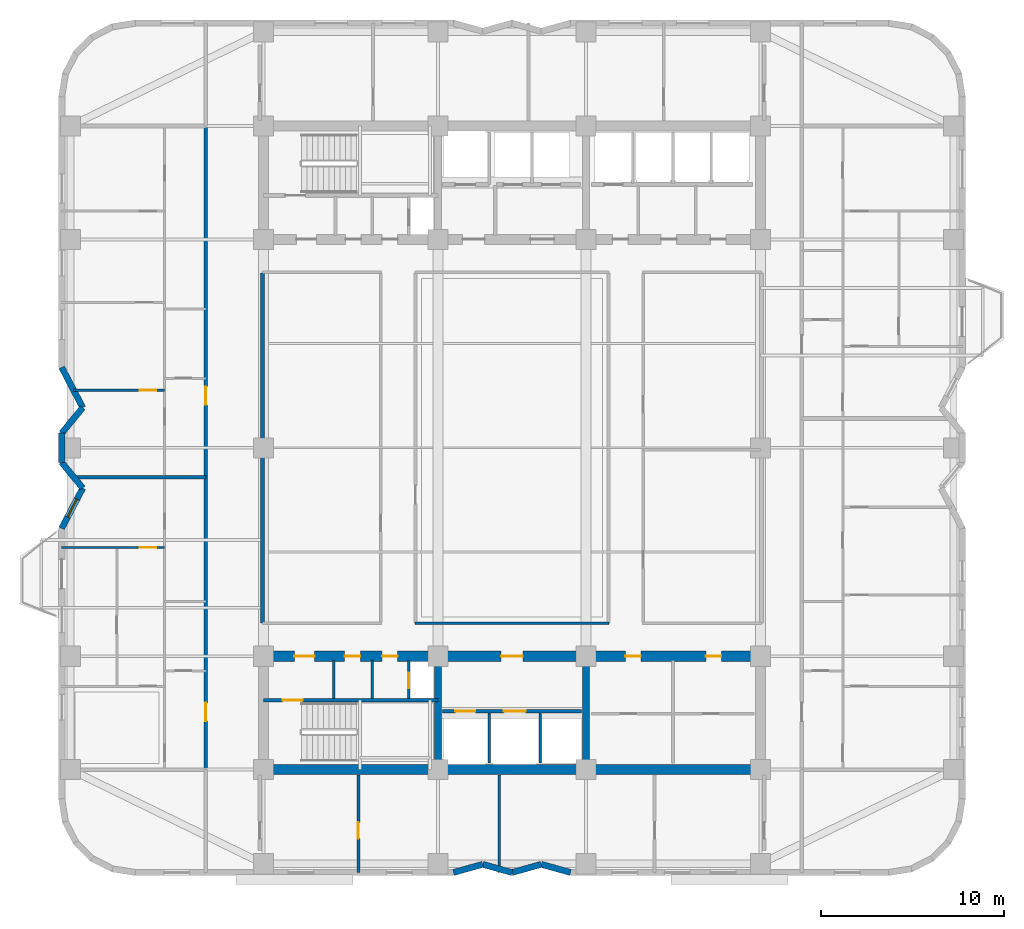
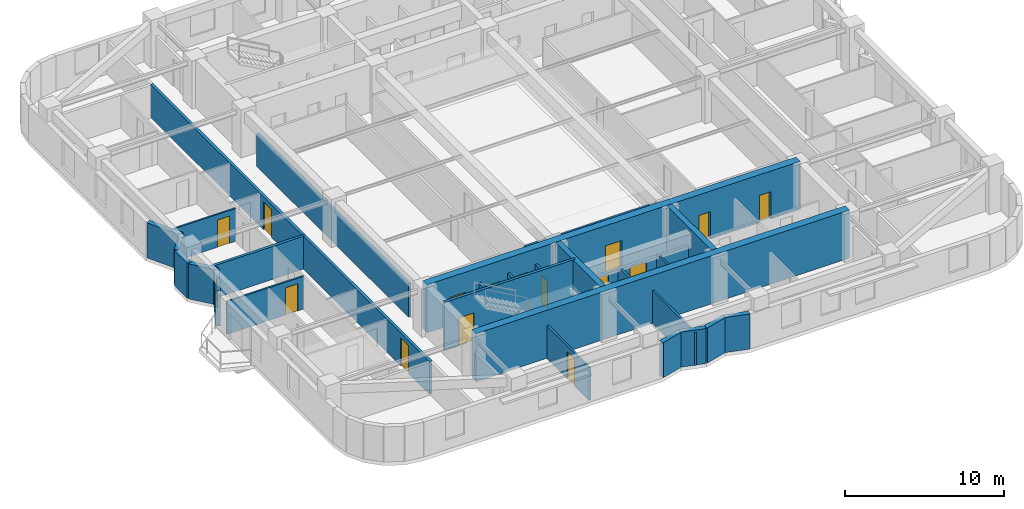
# One storey, part 3 of 10: 28 walls, 15 doors, 1 window, 16 openings.
"""IFC4 building model written with IfcOpenShell, lengths in metres."""

from ifc_helpers import new_model, si_unit, direction, frame, frame_2d, origin, place, context, subcontext, project, spatial, rectangle, extrude, material, layer, layer_set, type_object, element, fill, save


model = new_model("IFC4")

# Units and contexts
model_context = context("Model", 3, precision=1e-05, world=origin(), true_north=direction((0.0, 1.0)))
body_context = subcontext(model_context, "Body", "Model", "MODEL_VIEW")
ifc_project = project(units=[si_unit("LENGTHUNIT", "METRE"), si_unit("AREAUNIT", "SQUARE_METRE"), si_unit("VOLUMEUNIT", "CUBIC_METRE"), si_unit("PLANEANGLEUNIT", "RADIAN"), si_unit("MASSUNIT", "GRAM", prefix="KILO")], contexts=[model_context])

# Site, building, storey
site_placement = place(None, origin())
site = spatial("IfcSite", under=ifc_project, at=site_placement, CompositionType="ELEMENT")
building_placement = place(site_placement, origin())
building = spatial("IfcBuilding", under=site, at=building_placement, Name="Svetorya Sky Lyceum", CompositionType="ELEMENT")
storey_placement = place(building_placement, frame((0.0, 0.0, 129.0)))
storey = spatial("IfcBuildingStorey", under=building, at=storey_placement, Name="L32", CompositionType="ELEMENT", Elevation=129.0)

# Walls
ifc_material_1 = material(Name="Concrete C40/50", Category="concrete")
ifc_layer_1 = layer(ifc_material_1, 0.39990234375)
ifc_layer_set_1 = layer_set([ifc_layer_1], Name="Concrete C40/50")
wall_type_1 = type_object("IfcWallType", Name="WL-CORE-400", PredefinedType="SHEAR", material=ifc_layer_set_1)
for number, where, z_axis, x_axis, name in (
    (1, (35.14990234375, 10.875, 0.0), (0.0, 0.0, 1.0), (0.0, 1.0, 0.0), "L32 SC Internal Shear Web WEB1"),
    (2, (43.25, 10.875, 0.0), (0.0, 0.0, 1.0), (0.0, 1.0, 0.0), "L32 SC Internal Shear Web WEB2"),
):
    element("IfcWall", number, at=place(storey_placement, frame(where, z_axis=z_axis, x_axis=x_axis)), inside=storey, type_object=wall_type_1, Name=name, PredefinedType="SHEAR", context=body_context, shape_type="SweptSolid", body=[
        extrude(rectangle(XDim=5.64990234375, YDim=0.39990234375, at=frame_2d((2.824951171875, 0.0))), origin(), (0.0, 0.0, 1.0), 3.699951171875),
    ])
ifc_material_2 = material(Name="Concrete C60/75", Category="concrete")
ifc_layer_2 = layer(ifc_material_2, 0.550048828125)
ifc_layer_set_2 = layer_set([ifc_layer_2], Name="Concrete C60/75")
wall_type_2 = type_object("IfcWallType", Name="WL-CORE-550", PredefinedType="SHEAR", material=ifc_layer_set_2)
wall_1_placement = place(storey_placement, frame((52.800048828125, 10.60009765625, 0.0), z_axis=(0.0, 0.0, 1.0), x_axis=(-1.0, 0.0, 0.0)))
element("IfcWall", 3, at=wall_1_placement, inside=storey, type_object=wall_type_2, Name="L32 SC Outer Core Shear Wall", PredefinedType="SHEAR", context=body_context, shape_type="SweptSolid", body=[
    extrude(rectangle(XDim=27.199951171875, YDim=0.550048828125, at=frame_2d((13.60009765625, 0.0))), origin(), (0.0, 0.0, 1.0), 3.699951171875),
])

# Wall, openings, doors
wall_2_placement = place(storey_placement, frame((25.60009765625, 16.800048828125, 0.0), z_axis=(0.0, 0.0, 1.0), x_axis=(1.0, 0.0, 0.0)))
wall_2 = element("IfcWall", 4, at=wall_2_placement, inside=storey, type_object=wall_type_2, Name="L32 SC Inner Core Shear Wall", PredefinedType="SHEAR", context=body_context, shape_type="SweptSolid", body=[
    extrude(rectangle(XDim=27.199951171875, YDim=0.550048828125, at=frame_2d((13.60009765625, 0.0))), origin(), (0.0, 0.0, 1.0), 3.699951171875),
])
opening_1_placement = place(wall_2_placement, frame((1.699951171875, 0.0, 0.0)))
opening_1 = element("IfcOpeningElement", 5, at=opening_1_placement, cuts=wall_2, Name="Opening D-ST1", PredefinedType="OPENING", context=body_context, shape_type="SweptSolid", body=[
    extrude(rectangle(XDim=1.10009765625, YDim=2.14990234375, at=frame_2d((0.550048828125, 1.074951171875))), frame((0.0, 0.284912109375, 0.0), z_axis=(0.0, -1.0, 0.0), x_axis=(1.0, 0.0, 0.0)), (0.0, 0.0, 1.0), 0.570068359375),
])
opening_2_placement = place(wall_2_placement, frame((4.449951171875, 0.0, 0.0)))
opening_2 = element("IfcOpeningElement", 6, at=opening_2_placement, cuts=wall_2, Name="Opening D-CWC1", PredefinedType="OPENING", context=body_context, shape_type="SweptSolid", body=[
    extrude(rectangle(XDim=0.85009765625, YDim=2.10009765625, at=frame_2d((0.425048828125, 1.050048828125))), frame((0.0, 0.284912109375, 0.0), z_axis=(0.0, -1.0, 0.0), x_axis=(1.0, 0.0, 0.0)), (0.0, 0.0, 1.0), 0.570068359375),
])
opening_3_placement = place(wall_2_placement, frame((6.5, 0.0, 0.0)))
opening_3 = element("IfcOpeningElement", 7, at=opening_3_placement, cuts=wall_2, Name="Opening D-CWC1", PredefinedType="OPENING", context=body_context, shape_type="SweptSolid", body=[
    extrude(rectangle(XDim=0.85009765625, YDim=2.10009765625, at=frame_2d((0.425048828125, 1.050048828125))), frame((0.0, 0.284912109375, 0.0), z_axis=(0.0, -1.0, 0.0), x_axis=(1.0, 0.0, 0.0)), (0.0, 0.0, 1.0), 0.570068359375),
])
opening_4_placement = place(wall_2_placement, frame((13.0, 0.0, 0.0)))
opening_4 = element("IfcOpeningElement", 8, at=opening_4_placement, cuts=wall_2, Name="Opening D-FL1", PredefinedType="OPENING", context=body_context, shape_type="SweptSolid", body=[
    extrude(rectangle(XDim=1.199951171875, YDim=2.14990234375, at=frame_2d((0.60009765625, 1.074951171875))), frame((0.0, 0.284912109375, 0.0), z_axis=(0.0, -1.0, 0.0), x_axis=(1.0, 0.0, 0.0)), (0.0, 0.0, 1.0), 0.570068359375),
])
opening_5_placement = place(wall_2_placement, frame((19.800048828125, 0.0, 0.0)))
opening_5 = element("IfcOpeningElement", 9, at=opening_5_placement, cuts=wall_2, Name="Opening D-CWC1", PredefinedType="OPENING", context=body_context, shape_type="SweptSolid", body=[
    extrude(rectangle(XDim=0.85009765625, YDim=2.10009765625, at=frame_2d((0.425048828125, 1.050048828125))), frame((0.0, 0.284912109375, 0.0), z_axis=(0.0, -1.0, 0.0), x_axis=(1.0, 0.0, 0.0)), (0.0, 0.0, 1.0), 0.570068359375),
])
opening_6_placement = place(wall_2_placement, frame((24.199951171875, 0.0, 0.0)))
opening_6 = element("IfcOpeningElement", 10, at=opening_6_placement, cuts=wall_2, Name="Opening D-CWC1", PredefinedType="OPENING", context=body_context, shape_type="SweptSolid", body=[
    extrude(rectangle(XDim=0.85009765625, YDim=2.10009765625, at=frame_2d((0.425048828125, 1.050048828125))), frame((0.0, 0.284912109375, 0.0), z_axis=(0.0, -1.0, 0.0), x_axis=(1.0, 0.0, 0.0)), (0.0, 0.0, 1.0), 0.570068359375),
])
ifc_material_3 = material(Name="Fire-rated galvanized steel core service closet door", Category="steel")
door_type_1 = type_object("IfcDoorType", Name="DR-CWET-850", OperationType="SINGLE_SWING_LEFT", PredefinedType="DOOR", material=ifc_material_3)
door_1_placement = place(opening_2_placement, origin())
door_1 = element("IfcDoor", 11, at=door_1_placement, inside=storey, type_object=door_type_1, Name="L32 South Mop Closet Door", OperationType="SINGLE_SWING_LEFT", OverallHeight=2.10009765625, OverallWidth=0.85009765625, PredefinedType="DOOR", context=body_context, shape_type="SweptSolid", body=[
    extrude(rectangle(XDim=0.85009765625, YDim=2.10009765625, at=frame_2d((0.425048828125, 1.050048828125))), frame((0.0, 0.02490234375, 0.0), z_axis=(0.0, -1.0, 0.0), x_axis=(1.0, 0.0, 0.0)), (0.0, 0.0, 1.0), 0.050048828125),
])
fill(opening_2, door_1)
door_2_placement = place(opening_3_placement, origin())
door_2 = element("IfcDoor", 12, at=door_2_placement, inside=storey, type_object=door_type_1, Name="L32 South West WC Door", OperationType="SINGLE_SWING_RIGHT", OverallHeight=2.10009765625, OverallWidth=0.85009765625, PredefinedType="DOOR", context=body_context, shape_type="SweptSolid", body=[
    extrude(rectangle(XDim=0.85009765625, YDim=2.10009765625, at=frame_2d((0.425048828125, 1.050048828125))), frame((0.0, 0.02490234375, 0.0), z_axis=(0.0, -1.0, 0.0), x_axis=(1.0, 0.0, 0.0)), (0.0, 0.0, 1.0), 0.050048828125),
])
fill(opening_3, door_2)
door_3_placement = place(opening_5_placement, origin())
door_3 = element("IfcDoor", 13, at=door_3_placement, inside=storey, type_object=door_type_1, Name="L32 Housekeeping Door", OperationType="SINGLE_SWING_LEFT", OverallHeight=2.10009765625, OverallWidth=0.85009765625, PredefinedType="DOOR", context=body_context, shape_type="SweptSolid", body=[
    extrude(rectangle(XDim=0.85009765625, YDim=2.10009765625, at=frame_2d((0.425048828125, 1.050048828125))), frame((0.0, 0.02490234375, 0.0), z_axis=(0.0, -1.0, 0.0), x_axis=(1.0, 0.0, 0.0)), (0.0, 0.0, 1.0), 0.050048828125),
])
fill(opening_5, door_3)
door_4_placement = place(opening_6_placement, origin())
door_4 = element("IfcDoor", 14, at=door_4_placement, inside=storey, type_object=door_type_1, Name="L32 South WC Door", OperationType="SINGLE_SWING_RIGHT", OverallHeight=2.10009765625, OverallWidth=0.85009765625, PredefinedType="DOOR", context=body_context, shape_type="SweptSolid", body=[
    extrude(rectangle(XDim=0.85009765625, YDim=2.10009765625, at=frame_2d((0.425048828125, 1.050048828125))), frame((0.0, 0.02490234375, 0.0), z_axis=(0.0, -1.0, 0.0), x_axis=(1.0, 0.0, 0.0)), (0.0, 0.0, 1.0), 0.050048828125),
])
fill(opening_6, door_4)
ifc_material_4 = material(Name="Powder-coated insulated galvanized stair fire door")
door_type_2 = type_object("IfcDoorType", Name="DR-FIRE-1100", OperationType="SINGLE_SWING_LEFT", PredefinedType="DOOR", material=ifc_material_4)
door_5_placement = place(opening_1_placement, origin())
door_5 = element("IfcDoor", 15, at=door_5_placement, inside=storey, type_object=door_type_2, Name="L32 South Stair Airlock Door", OperationType="SINGLE_SWING_RIGHT", OverallHeight=2.14990234375, OverallWidth=1.10009765625, PredefinedType="DOOR", context=body_context, shape_type="SweptSolid", body=[
    extrude(rectangle(XDim=1.10009765625, YDim=2.14990234375, at=frame_2d((0.550048828125, 1.074951171875))), frame((0.0, 0.02490234375, 0.0), z_axis=(0.0, -1.0, 0.0), x_axis=(1.0, 0.0, 0.0)), (0.0, 0.0, 1.0), 0.050048828125),
])
fill(opening_1, door_5)
ifc_material_5 = material(Name="Powder-coated insulated galvanized fire door")
door_type_3 = type_object("IfcDoorType", Name="DR-FIRE-1200", OperationType="SINGLE_SWING_LEFT", PredefinedType="DOOR", material=ifc_material_5)
door_6_placement = place(opening_4_placement, origin())
door_6 = element("IfcDoor", 16, at=door_6_placement, inside=storey, type_object=door_type_3, Name="L32 South Firefighting Lift Lobby Door", OperationType="SINGLE_SWING_LEFT", OverallHeight=2.14990234375, OverallWidth=1.199951171875, PredefinedType="DOOR", context=body_context, shape_type="SweptSolid", body=[
    extrude(rectangle(XDim=1.199951171875, YDim=2.14990234375, at=frame_2d((0.60009765625, 1.074951171875))), frame((0.0, 0.02490234375, 0.0), z_axis=(0.0, -1.0, 0.0), x_axis=(1.0, 0.0, 0.0)), (0.0, 0.0, 1.0), 0.050048828125),
])
fill(opening_4, door_6)

# Walls
ifc_material_6 = material(Name="Putilovo limestone rainscreen on autoclaved cellular masonry", Category="masonry")
ifc_layer_3 = layer(ifc_material_6, 0.340087890625)
ifc_layer_set_3 = layer_set([ifc_layer_3], Name="Putilovo limestone rainscreen on autoclaved cellular masonry")
wall_type_3 = type_object("IfcWallType", Name="WL-EXT-340", PredefinedType="SOLIDWALL", material=ifc_layer_set_3)
wall_3_placement = place(storey_placement, frame((36.0, 4.969970703125, 0.0), z_axis=(0.0, 0.0, 1.0), x_axis=(0.962662902433, 0.270703040766, 0.0)))
element("IfcWall", 17, at=wall_3_placement, inside=storey, type_object=wall_type_3, Name="L32 Limestone Exterior Wall 7M", PredefinedType="SOLIDWALL", context=body_context, shape_type="SweptSolid", body=[
    extrude(rectangle(XDim=1.662109375, YDim=0.340087890625, at=frame_2d((0.8310546875, 0.0))), origin(), (0.0, 0.0, 1.0), 2.699951171875),
])
wall_4_placement = place(storey_placement, frame((37.60009765625, 5.419921875, 0.0), z_axis=(0.0, 0.0, 1.0), x_axis=(0.962652136636, -0.270741322725, 0.0)))
element("IfcWall", 18, at=wall_4_placement, inside=storey, type_object=wall_type_3, Name="L32 Limestone Exterior Wall 8M", PredefinedType="SOLIDWALL", context=body_context, shape_type="SweptSolid", body=[
    extrude(rectangle(XDim=1.661865234375, YDim=0.340087890625, at=frame_2d((0.8310546875, 0.0))), origin(), (0.0, 0.0, 1.0), 2.699951171875),
])
wall_5_placement = place(storey_placement, frame((39.199951171875, 4.969970703125, 0.0), z_axis=(0.0, 0.0, 1.0), x_axis=(0.962662902433, 0.270703040766, 0.0)))
element("IfcWall", 19, at=wall_5_placement, inside=storey, type_object=wall_type_3, Name="L32 Limestone Exterior Wall 9M", PredefinedType="SOLIDWALL", context=body_context, shape_type="SweptSolid", body=[
    extrude(rectangle(XDim=1.662109375, YDim=0.340087890625, at=frame_2d((0.8310546875, 0.0))), origin(), (0.0, 0.0, 1.0), 2.699951171875),
])
wall_6_placement = place(storey_placement, frame((40.800048828125, 5.419921875, 0.0), z_axis=(0.0, 0.0, 1.0), x_axis=(0.962652136636, -0.270741322725, 0.0)))
element("IfcWall", 20, at=wall_6_placement, inside=storey, type_object=wall_type_3, Name="L32 Limestone Exterior Wall 10M", PredefinedType="SOLIDWALL", context=body_context, shape_type="SweptSolid", body=[
    extrude(rectangle(XDim=1.661865234375, YDim=0.340087890625, at=frame_2d((0.8310546875, 0.0))), origin(), (0.0, 0.0, 1.0), 2.699951171875),
])
wall_7_placement = place(storey_placement, frame((14.570068359375, 32.60009765625, 0.0), z_axis=(0.0, 0.0, 1.0), x_axis=(0.463191013929, -0.88625847506, 0.0)))
element("IfcWall", 21, at=wall_7_placement, inside=storey, type_object=wall_type_3, Name="L32 Limestone Exterior Wall 41M", PredefinedType="SOLIDWALL", context=body_context, shape_type="SweptSolid", body=[
    extrude(rectangle(XDim=2.482666015625, YDim=0.340087890625, at=frame_2d((1.2412109375, 0.0))), origin(), (0.0, 0.0, 1.0), 2.699951171875),
])
wall_8_placement = place(storey_placement, frame((15.719970703125, 30.39990234375, 0.0), z_axis=(0.0, 0.0, 1.0), x_axis=(-0.634733675645, -0.772730975827, 0.0)))
element("IfcWall", 22, at=wall_8_placement, inside=storey, type_object=wall_type_3, Name="L32 Limestone Exterior Wall 42M", PredefinedType="SOLIDWALL", context=body_context, shape_type="SweptSolid", body=[
    extrude(rectangle(XDim=1.8115234375, YDim=0.340087890625, at=frame_2d((0.90576171875, 0.0))), origin(), (0.0, 0.0, 1.0), 2.699951171875),
])
wall_9_placement = place(storey_placement, frame((14.570068359375, 29.0, 0.0), z_axis=(0.0, 0.0, 1.0), x_axis=(0.0, -1.0, 0.0)))
element("IfcWall", 23, at=wall_9_placement, inside=storey, type_object=wall_type_3, Name="L32 Limestone Exterior Wall 43M", PredefinedType="SOLIDWALL", context=body_context, shape_type="SweptSolid", body=[
    extrude(rectangle(XDim=1.60009765625, YDim=0.340087890625, at=frame_2d((0.800048828125, 0.0))), origin(), (0.0, 0.0, 1.0), 2.699951171875),
])
wall_10_placement = place(storey_placement, frame((14.570068359375, 27.39990234375, 0.0), z_axis=(0.0, 0.0, 1.0), x_axis=(0.634733675645, -0.772730975827, 0.0)))
element("IfcWall", 24, at=wall_10_placement, inside=storey, type_object=wall_type_3, Name="L32 Limestone Exterior Wall 44M", PredefinedType="SOLIDWALL", context=body_context, shape_type="SweptSolid", body=[
    extrude(rectangle(XDim=1.8115234375, YDim=0.340087890625, at=frame_2d((0.90576171875, 0.0))), origin(), (0.0, 0.0, 1.0), 2.699951171875),
])

# Wall, opening, window
wall_11_placement = place(storey_placement, frame((15.719970703125, 26.0, 0.0), z_axis=(0.0, 0.0, 1.0), x_axis=(-0.46323138706, -0.886237373418, 0.0)))
wall_11 = element("IfcWall", 25, at=wall_11_placement, inside=storey, type_object=wall_type_3, Name="L32 Limestone Exterior Wall 45M", PredefinedType="SOLIDWALL", context=body_context, shape_type="SweptSolid", body=[
    extrude(rectangle(XDim=2.482421875, YDim=0.340087890625, at=frame_2d((1.2412109375, 0.0))), origin(), (0.0, 0.0, 1.0), 2.699951171875),
])
opening_7_placement = place(wall_11_placement, frame((0.691162109375, 0.0, 0.889892578125)))
opening_7 = element("IfcOpeningElement", 26, at=opening_7_placement, cuts=wall_11, Name="Opening W-R3", PredefinedType="OPENING", context=body_context, shape_type="SweptSolid", body=[
    extrude(rectangle(XDim=1.10009765625, YDim=1.64990234375, at=frame_2d((0.550048828125, 0.824951171875))), frame((0.0, 0.179931640625, 0.0), z_axis=(0.0, -1.0, 0.0), x_axis=(1.0, 0.0, 0.0)), (0.0, 0.0, 1.0), 0.360107421875),
])
ifc_material_7 = material(Name="Thermally broken aluminium frame with triple low-E glazing", Category="aluminium")
window_type = type_object("IfcWindowType", Name="WN-RES-110", PartitioningType="SINGLE_PANEL", PredefinedType="WINDOW", material=ifc_material_7)
window_placement = place(opening_7_placement, origin())
window = element("IfcWindow", 27, at=window_placement, inside=storey, type_object=window_type, Name="L32 Facade Window W-R3.45M.1", OverallHeight=1.64990234375, OverallWidth=1.10009765625, PartitioningType="SINGLE_PANEL", PredefinedType="WINDOW", context=body_context, shape_type="SweptSolid", body=[
    extrude(rectangle(XDim=1.10009765625, YDim=1.64990234375, at=frame_2d((0.550048828125, 0.824951171875))), frame((0.0, 0.030029296875, 0.0), z_axis=(0.0, -1.0, 0.0), x_axis=(1.0, 0.0, 0.0)), (0.0, 0.0, 1.0), 0.06005859375),
])
fill(opening_7, window)

# Wall, opening, door
ifc_material_8 = material(Name="Twin-stud galvanized framing with double fireboard", Category="gypsum")
ifc_layer_4 = layer(ifc_material_8, 0.1201171875)
ifc_layer_set_4 = layer_set([ifc_layer_4], Name="Twin-stud galvanized framing with double fireboard")
wall_type_4 = type_object("IfcWallType", Name="WL-PART-120", PredefinedType="PARTITIONING", material=ifc_layer_set_4)
wall_12_placement = place(storey_placement, frame((14.570068359375, 22.75, 0.0), z_axis=(0.0, 0.0, 1.0), x_axis=(1.0, 0.0, 0.0)))
wall_12 = element("IfcWall", 28, at=wall_12_placement, inside=storey, type_object=wall_type_4, Name="L32 Interior Partition W1-WL2", PredefinedType="PARTITIONING", context=body_context, shape_type="SweptSolid", body=[
    extrude(rectangle(XDim=5.6298828125, YDim=0.1201171875, at=frame_2d((2.81494140625, 0.0))), origin(), (0.0, 0.0, 1.0), 2.530029296875),
])
opening_8_placement = place(wall_12_placement, frame((4.280029296875, 0.0, 0.0)))
opening_8 = element("IfcOpeningElement", 29, at=opening_8_placement, cuts=wall_12, Name="Opening D-RM1", PredefinedType="OPENING", context=body_context, shape_type="SweptSolid", body=[
    extrude(rectangle(XDim=0.89990234375, YDim=2.10009765625, at=frame_2d((0.449951171875, 1.050048828125))), frame((0.0, 0.070068359375, 0.0), z_axis=(0.0, -1.0, 0.0), x_axis=(1.0, 0.0, 0.0)), (0.0, 0.0, 1.0), 0.14013671875),
])
ifc_material_9 = material(Name="Lacquered birch veneer internal door")
door_type_4 = type_object("IfcDoorType", Name="DR-INT-900", OperationType="SINGLE_SWING_LEFT", PredefinedType="DOOR", material=ifc_material_9)
door_7_placement = place(opening_8_placement, origin())
door_7 = element("IfcDoor", 30, at=door_7_placement, inside=storey, type_object=door_type_4, Name="Apartment W1 Bedroom 2 Door", OperationType="SINGLE_SWING_RIGHT", OverallHeight=2.10009765625, OverallWidth=0.89990234375, PredefinedType="DOOR", context=body_context, shape_type="SweptSolid", body=[
    extrude(rectangle(XDim=0.89990234375, YDim=2.10009765625, at=frame_2d((0.449951171875, 1.050048828125))), frame((0.0, 0.02490234375, 0.0), z_axis=(0.0, -1.0, 0.0), x_axis=(1.0, 0.0, 0.0)), (0.0, 0.0, 1.0), 0.050048828125),
])
fill(opening_8, door_7)

wall_13_placement = place(storey_placement, frame((15.223388671875, 31.35009765625, 0.0), z_axis=(0.0, 0.0, 1.0), x_axis=(1.0, 0.0, 0.0)))
wall_13 = element("IfcWall", 31, at=wall_13_placement, inside=storey, type_object=wall_type_4, Name="L32 Interior Partition W2-WL1", PredefinedType="PARTITIONING", context=body_context, shape_type="SweptSolid", body=[
    extrude(rectangle(XDim=4.9765625, YDim=0.1201171875, at=frame_2d((2.48828125, 0.0))), origin(), (0.0, 0.0, 1.0), 2.530029296875),
])
opening_9_placement = place(wall_13_placement, frame((3.626708984375, 0.0, 0.0)))
opening_9 = element("IfcOpeningElement", 32, at=opening_9_placement, cuts=wall_13, Name="Opening D-RM1", PredefinedType="OPENING", context=body_context, shape_type="SweptSolid", body=[
    extrude(rectangle(XDim=0.89990234375, YDim=2.10009765625, at=frame_2d((0.449951171875, 1.050048828125))), frame((0.0, 0.070068359375, 0.0), z_axis=(0.0, -1.0, 0.0), x_axis=(1.0, 0.0, 0.0)), (0.0, 0.0, 1.0), 0.14013671875),
])
door_8_placement = place(opening_9_placement, origin())
door_8 = element("IfcDoor", 33, at=door_8_placement, inside=storey, type_object=door_type_4, Name="Apartment W2 Master Bedroom Door", OperationType="SINGLE_SWING_RIGHT", OverallHeight=2.10009765625, OverallWidth=0.89990234375, PredefinedType="DOOR", context=body_context, shape_type="SweptSolid", body=[
    extrude(rectangle(XDim=0.89990234375, YDim=2.10009765625, at=frame_2d((0.449951171875, 1.050048828125))), frame((0.0, 0.02490234375, 0.0), z_axis=(0.0, -1.0, 0.0), x_axis=(1.0, 0.0, 0.0)), (0.0, 0.0, 1.0), 0.050048828125),
])
fill(opening_9, door_8)

# Walls
ifc_material_10 = material(Name="Autoclaved cellular masonry blockwork with acoustic render", Category="masonry")
ifc_layer_5 = layer(ifc_material_10, 0.14990234375)
ifc_layer_set_5 = layer_set([ifc_layer_5], Name="Autoclaved cellular masonry blockwork with acoustic render")
wall_type_5 = type_object("IfcWallType", Name="WL-PART-150", PredefinedType="PARTITIONING", material=ifc_layer_set_5)
for number, where, z_axis, x_axis, name in (
    (34, (29.449951171875, 14.5, 0.0), (0.0, 0.0, 1.0), (0.0, 1.0, 0.0), "L32 Interior Partition SC-SWD1"),
    (35, (31.550048828125, 14.5, 0.0), (0.0, 0.0, 1.0), (0.0, 1.0, 0.0), "L32 Interior Partition SC-SWD2"),
):
    element("IfcWall", number, at=place(storey_placement, frame(where, z_axis=z_axis, x_axis=x_axis)), inside=storey, type_object=wall_type_5, Name=name, PredefinedType="PARTITIONING", context=body_context, shape_type="SweptSolid", body=[
        extrude(rectangle(XDim=2.080078125, YDim=0.14990234375, at=frame_2d((1.0400390625, 0.0))), origin(), (0.0, 0.0, 1.0), 2.530029296875),
    ])

# Wall, opening, door
wall_14_placement = place(storey_placement, frame((33.550048828125, 14.5, 0.0), z_axis=(0.0, 0.0, 1.0), x_axis=(0.0, 1.0, 0.0)))
wall_14 = element("IfcWall", 36, at=wall_14_placement, inside=storey, type_object=wall_type_5, Name="L32 Interior Partition SC-SWD3", PredefinedType="PARTITIONING", context=body_context, shape_type="SweptSolid", body=[
    extrude(rectangle(XDim=2.080078125, YDim=0.14990234375, at=frame_2d((1.0400390625, 0.0))), origin(), (0.0, 0.0, 1.0), 2.530029296875),
])
opening_10_placement = place(wall_14_placement, frame((0.550048828125, 0.0, 0.0)))
opening_10 = element("IfcOpeningElement", 37, at=opening_10_placement, cuts=wall_14, Name="Opening D-SH1", PredefinedType="OPENING", context=body_context, shape_type="SweptSolid", body=[
    extrude(rectangle(XDim=0.85009765625, YDim=2.050048828125, at=frame_2d((0.425048828125, 1.02490234375))), frame((0.0, 0.0849609375, 0.0), z_axis=(0.0, -1.0, 0.0), x_axis=(1.0, 0.0, 0.0)), (0.0, 0.0, 1.0), 0.169921875),
])
ifc_material_11 = material(Name="Insulated galvanized riser inspection fire door")
door_type_5 = type_object("IfcDoorType", Name="DR-SHFT-850", OperationType="SINGLE_SWING_LEFT", PredefinedType="TRAPDOOR", material=ifc_material_11)
door_9_placement = place(opening_10_placement, origin())
door_9 = element("IfcDoor", 38, at=door_9_placement, inside=storey, type_object=door_type_5, Name="L32 South Riser Access Door", OperationType="SINGLE_SWING_RIGHT", OverallHeight=2.050048828125, OverallWidth=0.85009765625, PredefinedType="TRAPDOOR", context=body_context, shape_type="SweptSolid", body=[
    extrude(rectangle(XDim=0.85009765625, YDim=2.050048828125, at=frame_2d((0.425048828125, 1.02490234375))), frame((0.0, 0.02490234375, 0.0), z_axis=(0.0, -1.0, 0.0), x_axis=(1.0, 0.0, 0.0)), (0.0, 0.0, 1.0), 0.050048828125),
])
fill(opening_10, door_9)

# Walls
for number, where, z_axis, x_axis, name in (
    (39, (37.949951171875, 10.949951171875, 0.0), (0.0, 0.0, 1.0), (0.0, 1.0, 0.0), "L32 Interior Partition SC-SHD1"),
    (40, (40.75, 10.949951171875, 0.0), (0.0, 0.0, 1.0), (0.0, 1.0, 0.0), "L32 Interior Partition SC-SHD2"),
):
    element("IfcWall", number, at=place(storey_placement, frame(where, z_axis=z_axis, x_axis=x_axis)), inside=storey, type_object=wall_type_5, Name=name, PredefinedType="PARTITIONING", context=body_context, shape_type="SweptSolid", body=[
        extrude(rectangle(XDim=2.75, YDim=0.14990234375, at=frame_2d((1.375, 0.0))), origin(), (0.0, 0.0, 1.0), 2.530029296875),
    ])
wall_15_placement = place(storey_placement, frame((33.89990234375, 18.60009765625, 0.0), z_axis=(0.0, 0.0, 1.0), x_axis=(1.0, 0.0, 0.0)))
element("IfcWall", 41, at=wall_15_placement, inside=storey, type_object=wall_type_5, Name="L32 Interior Partition RL-CS-M", PredefinedType="PARTITIONING", context=body_context, shape_type="SweptSolid", body=[
    extrude(rectangle(XDim=10.60009765625, YDim=0.14990234375, at=frame_2d((5.300048828125, 0.0))), origin(), (0.0, 0.0, 1.0), 2.530029296875),
])

# Wall, opening, door
wall_16_placement = place(storey_placement, frame((30.800048828125, 4.969970703125, 0.0), z_axis=(0.0, 0.0, 1.0), x_axis=(0.0, 1.0, 0.0)))
wall_16 = element("IfcWall", 42, at=wall_16_placement, inside=storey, type_object=wall_type_5, Name="L32 Interior Partition S4-D1", PredefinedType="PARTITIONING", context=body_context, shape_type="SweptSolid", body=[
    extrude(rectangle(XDim=5.330078125, YDim=0.14990234375, at=frame_2d((2.6650390625, 0.0))), origin(), (0.0, 0.0, 1.0), 2.530029296875),
])
opening_11_placement = place(wall_16_placement, frame((1.85009765625, 0.0, 0.0)))
opening_11 = element("IfcOpeningElement", 43, at=opening_11_placement, cuts=wall_16, Name="Opening D-RM1", PredefinedType="OPENING", context=body_context, shape_type="SweptSolid", body=[
    extrude(rectangle(XDim=0.89990234375, YDim=2.10009765625, at=frame_2d((0.449951171875, 1.050048828125))), frame((0.0, 0.0849609375, 0.0), z_axis=(0.0, -1.0, 0.0), x_axis=(1.0, 0.0, 0.0)), (0.0, 0.0, 1.0), 0.169921875),
])
door_10_placement = place(opening_11_placement, origin())
door_10 = element("IfcDoor", 44, at=door_10_placement, inside=storey, type_object=door_type_4, Name="L32 South Suite Door 1", OperationType="SINGLE_SWING_LEFT", OverallHeight=2.10009765625, OverallWidth=0.89990234375, PredefinedType="DOOR", context=body_context, shape_type="SweptSolid", body=[
    extrude(rectangle(XDim=0.89990234375, YDim=2.10009765625, at=frame_2d((0.449951171875, 1.050048828125))), frame((0.0, 0.02490234375, 0.0), z_axis=(0.0, -1.0, 0.0), x_axis=(1.0, 0.0, 0.0)), (0.0, 0.0, 1.0), 0.050048828125),
])
fill(opening_11, door_10)

# Wall
wall_17_placement = place(storey_placement, frame((38.5, 4.969970703125, 0.0), z_axis=(0.0, 0.0, 1.0), x_axis=(0.0, 1.0, 0.0)))
element("IfcWall", 45, at=wall_17_placement, inside=storey, type_object=wall_type_5, Name="L32 Interior Partition S4-D2", PredefinedType="PARTITIONING", context=body_context, shape_type="SweptSolid", body=[
    extrude(rectangle(XDim=5.330078125, YDim=0.14990234375, at=frame_2d((2.6650390625, 0.0))), origin(), (0.0, 0.0, 1.0), 2.530029296875),
])

# Wall, openings, doors
ifc_material_12 = material(Name="Autoclaved cellular masonry blockwork with gypsum plaster", Category="masonry")
ifc_layer_6 = layer(ifc_material_12, 0.199951171875)
ifc_layer_set_6 = layer_set([ifc_layer_6], Name="Autoclaved cellular masonry blockwork with gypsum plaster")
wall_type_6 = type_object("IfcWallType", Name="WL-PART-200", PredefinedType="PARTITIONING", material=ifc_layer_set_6)
wall_18_placement = place(storey_placement, frame((35.39990234375, 13.800048828125, 0.0), z_axis=(0.0, 0.0, 1.0), x_axis=(1.0, 0.0, 0.0)))
wall_18 = element("IfcWall", 46, at=wall_18_placement, inside=storey, type_object=wall_type_6, Name="L32 Interior Partition SC-FLW", PredefinedType="PARTITIONING", context=body_context, shape_type="SweptSolid", body=[
    extrude(rectangle(XDim=7.60009765625, YDim=0.199951171875, at=frame_2d((3.800048828125, 0.0))), origin(), (0.0, 0.0, 1.0), 2.300048828125),
])
opening_12_placement = place(wall_18_placement, frame((0.699951171875, 0.0, 0.0)))
opening_12 = element("IfcOpeningElement", 47, at=opening_12_placement, cuts=wall_18, Name="Opening LD-FL", PredefinedType="OPENING", context=body_context, shape_type="SweptSolid", body=[
    extrude(rectangle(XDim=1.10009765625, YDim=2.14990234375, at=frame_2d((0.550048828125, 1.074951171875))), frame((0.0, 0.10986328125, 0.0), z_axis=(0.0, -1.0, 0.0), x_axis=(1.0, 0.0, 0.0)), (0.0, 0.0, 1.0), 0.219970703125),
])
opening_13_placement = place(wall_18_placement, frame((3.35009765625, 0.0, 0.0)))
opening_13 = element("IfcOpeningElement", 48, at=opening_13_placement, cuts=wall_18, Name="Opening LD-SV", PredefinedType="OPENING", context=body_context, shape_type="SweptSolid", body=[
    extrude(rectangle(XDim=1.199951171875, YDim=2.14990234375, at=frame_2d((0.60009765625, 1.074951171875))), frame((0.0, 0.10986328125, 0.0), z_axis=(0.0, -1.0, 0.0), x_axis=(1.0, 0.0, 0.0)), (0.0, 0.0, 1.0), 0.219970703125),
])
ifc_material_13 = material(Name="Fire-rated stainless AISI 304 firefighting lift landing door")
door_type_6 = type_object("IfcDoorType", Name="DR-LIFT-1100", OperationType="SLIDING_TO_LEFT", PredefinedType="DOOR", material=ifc_material_13)
door_11_placement = place(opening_12_placement, origin())
door_11 = element("IfcDoor", 49, at=door_11_placement, inside=storey, type_object=door_type_6, Name="L32 Firefighting Lift FL2 Landing Door", OperationType="SLIDING_TO_LEFT", OverallHeight=2.14990234375, OverallWidth=1.10009765625, PredefinedType="DOOR", context=body_context, shape_type="SweptSolid", body=[
    extrude(rectangle(XDim=1.10009765625, YDim=2.14990234375, at=frame_2d((0.550048828125, 1.074951171875))), frame((0.0, 0.02490234375, 0.0), z_axis=(0.0, -1.0, 0.0), x_axis=(1.0, 0.0, 0.0)), (0.0, 0.0, 1.0), 0.050048828125),
])
fill(opening_12, door_11)
ifc_material_14 = material(Name="Brushed stainless AISI 304 telescopic lift landing door")
door_type_7 = type_object("IfcDoorType", Name="DR-LIFT-1200", OperationType="SLIDING_TO_LEFT", PredefinedType="DOOR", material=ifc_material_14)
door_12_placement = place(opening_13_placement, origin())
door_12 = element("IfcDoor", 50, at=door_12_placement, inside=storey, type_object=door_type_7, Name="L32 Service Lift SVL1 Landing Door", OperationType="SLIDING_TO_LEFT", OverallHeight=2.14990234375, OverallWidth=1.199951171875, PredefinedType="DOOR", context=body_context, shape_type="SweptSolid", body=[
    extrude(rectangle(XDim=1.199951171875, YDim=2.14990234375, at=frame_2d((0.60009765625, 1.074951171875))), frame((0.0, 0.02490234375, 0.0), z_axis=(0.0, -1.0, 0.0), x_axis=(1.0, 0.0, 0.0)), (0.0, 0.0, 1.0), 0.050048828125),
])
fill(opening_13, door_12)

# Walls
wall_19_placement = place(storey_placement, frame((25.550048828125, 18.6298828125, 0.0), z_axis=(0.0, 0.0, 1.0), x_axis=(0.0, 1.0, 0.0)))
element("IfcWall", 51, at=wall_19_placement, inside=storey, type_object=wall_type_6, Name="L32 Interior Partition W-CEN-SEP", PredefinedType="PARTITIONING", context=body_context, shape_type="SweptSolid", body=[
    extrude(rectangle(XDim=19.14013671875, YDim=0.199951171875, at=frame_2d((9.570068359375, 0.0))), origin(), (0.0, 0.0, 1.0), 2.530029296875),
])
wall_20_placement = place(storey_placement, frame((15.22705078125, 26.60009765625, 0.0), z_axis=(0.0, 0.0, 1.0), x_axis=(1.0, 0.0, 0.0)))
element("IfcWall", 52, at=wall_20_placement, inside=storey, type_object=wall_type_6, Name="L32 Interior Partition W-PARTY-1", PredefinedType="PARTITIONING", context=body_context, shape_type="SweptSolid", body=[
    extrude(rectangle(XDim=7.222900390625, YDim=0.199951171875, at=frame_2d((3.611328125, 0.0))), origin(), (0.0, 0.0, 1.0), 2.530029296875),
])

# Wall, openings, doors
wall_21_placement = place(storey_placement, frame((22.449951171875, 10.60009765625, 0.0), z_axis=(0.0, 0.0, 1.0), x_axis=(0.0, 1.0, 0.0)))
wall_21 = element("IfcWall", 53, at=wall_21_placement, inside=storey, type_object=wall_type_6, Name="L32 Interior Partition W-CORRW", PredefinedType="PARTITIONING", context=body_context, shape_type="SweptSolid", body=[
    extrude(rectangle(XDim=35.199951171875, YDim=0.199951171875, at=frame_2d((17.60009765625, 0.0))), origin(), (0.0, 0.0, 1.0), 2.530029296875),
])
opening_14_placement = place(wall_21_placement, frame((2.64990234375, 0.0, 0.0)))
opening_14 = element("IfcOpeningElement", 54, at=opening_14_placement, cuts=wall_21, Name="Opening D-APT1", PredefinedType="OPENING", context=body_context, shape_type="SweptSolid", body=[
    extrude(rectangle(XDim=1.0, YDim=2.14990234375, at=frame_2d((0.5, 1.074951171875))), frame((0.0, 0.10986328125, 0.0), z_axis=(0.0, -1.0, 0.0), x_axis=(1.0, 0.0, 0.0)), (0.0, 0.0, 1.0), 0.219970703125),
])
opening_15_placement = place(wall_21_placement, frame((19.949951171875, 0.0, 0.0)))
opening_15 = element("IfcOpeningElement", 55, at=opening_15_placement, cuts=wall_21, Name="Opening D-APT1", PredefinedType="OPENING", context=body_context, shape_type="SweptSolid", body=[
    extrude(rectangle(XDim=1.0, YDim=2.14990234375, at=frame_2d((0.5, 1.074951171875))), frame((0.0, 0.10986328125, 0.0), z_axis=(0.0, -1.0, 0.0), x_axis=(1.0, 0.0, 0.0)), (0.0, 0.0, 1.0), 0.219970703125),
])
ifc_material_15 = material(Name="Insulated oak-veneered apartment entrance door")
door_type_8 = type_object("IfcDoorType", Name="DR-APT-1000", OperationType="SINGLE_SWING_LEFT", PredefinedType="DOOR", material=ifc_material_15)
door_13_placement = place(opening_14_placement, origin())
door_13 = element("IfcDoor", 56, at=door_13_placement, inside=storey, type_object=door_type_8, Name="L32 Apartment W1 Entrance Door", OperationType="SINGLE_SWING_LEFT", OverallHeight=2.14990234375, OverallWidth=1.0, PredefinedType="DOOR", context=body_context, shape_type="SweptSolid", body=[
    extrude(rectangle(XDim=1.0, YDim=2.14990234375, at=frame_2d((0.5, 1.074951171875))), frame((0.0, 0.02490234375, 0.0), z_axis=(0.0, -1.0, 0.0), x_axis=(1.0, 0.0, 0.0)), (0.0, 0.0, 1.0), 0.050048828125),
])
fill(opening_14, door_13)
door_14_placement = place(opening_15_placement, origin())
door_14 = element("IfcDoor", 57, at=door_14_placement, inside=storey, type_object=door_type_8, Name="L32 Apartment W2 Entrance Door", OperationType="SINGLE_SWING_RIGHT", OverallHeight=2.14990234375, OverallWidth=1.0, PredefinedType="DOOR", context=body_context, shape_type="SweptSolid", body=[
    extrude(rectangle(XDim=1.0, YDim=2.14990234375, at=frame_2d((0.5, 1.074951171875))), frame((0.0, 0.02490234375, 0.0), z_axis=(0.0, -1.0, 0.0), x_axis=(1.0, 0.0, 0.0)), (0.0, 0.0, 1.0), 0.050048828125),
])
fill(opening_15, door_14)

# Wall, opening, door
ifc_material_16 = material(Name="Concrete C50/60", Category="concrete")
ifc_layer_7 = layer(ifc_material_16, 0.199951171875)
ifc_layer_set_7 = layer_set([ifc_layer_7], Name="Concrete C50/60")
wall_type_7 = type_object("IfcWallType", Name="WL-SHW-200", PredefinedType="SHEAR", material=ifc_layer_set_7)
wall_22_placement = place(storey_placement, frame((25.60009765625, 14.39990234375, 0.0), z_axis=(0.0, 0.0, 1.0), x_axis=(1.0, 0.0, 0.0)))
wall_22 = element("IfcWall", 58, at=wall_22_placement, inside=storey, type_object=wall_type_7, Name="L32 Structural Stair Shaft Wall SC-STW", PredefinedType="SHEAR", context=body_context, shape_type="SweptSolid", body=[
    extrude(rectangle(XDim=9.5498046875, YDim=0.199951171875, at=frame_2d((4.77490234375, 0.0))), origin(), (0.0, 0.0, 1.0), 3.699951171875),
])
opening_16_placement = place(wall_22_placement, frame((1.050048828125, 0.0, 0.0)))
opening_16 = element("IfcOpeningElement", 59, at=opening_16_placement, cuts=wall_22, Name="Opening D-ST1", PredefinedType="OPENING", context=body_context, shape_type="SweptSolid", body=[
    extrude(rectangle(XDim=1.10009765625, YDim=2.14990234375, at=frame_2d((0.550048828125, 1.074951171875))), frame((0.0, 0.10986328125, 0.0), z_axis=(0.0, -1.0, 0.0), x_axis=(1.0, 0.0, 0.0)), (0.0, 0.0, 1.0), 0.219970703125),
])
door_15_placement = place(opening_16_placement, origin())
door_15 = element("IfcDoor", 60, at=door_15_placement, inside=storey, type_object=door_type_2, Name="L32 Stair ST-S Vestibule Fire Door", OperationType="SINGLE_SWING_LEFT", OverallHeight=2.14990234375, OverallWidth=1.10009765625, PredefinedType="DOOR", context=body_context, shape_type="SweptSolid", body=[
    extrude(rectangle(XDim=1.10009765625, YDim=2.14990234375, at=frame_2d((0.550048828125, 1.074951171875))), frame((0.0, 0.02490234375, 0.0), z_axis=(0.0, -1.0, 0.0), x_axis=(1.0, 0.0, 0.0)), (0.0, 0.0, 1.0), 0.050048828125),
])
fill(opening_16, door_15)

save(model, "model.ifc")
